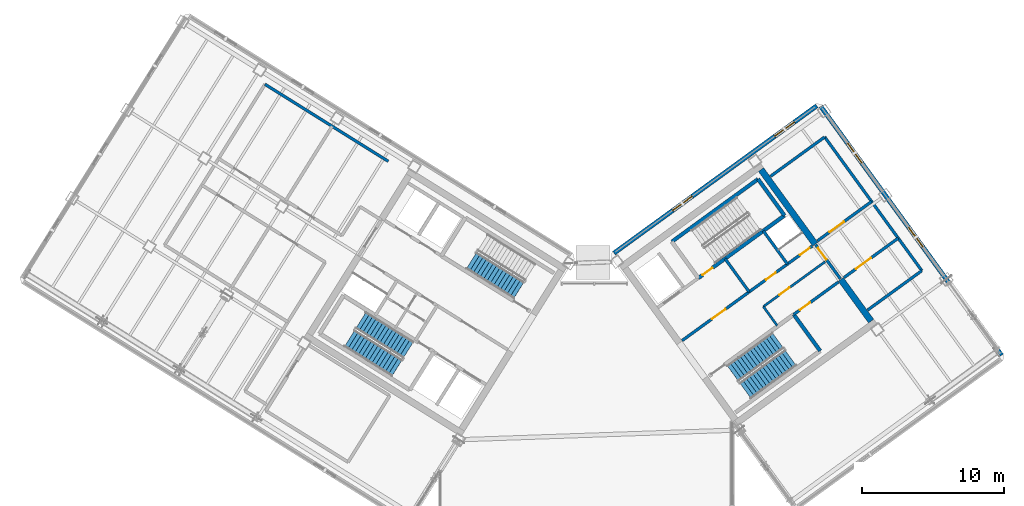
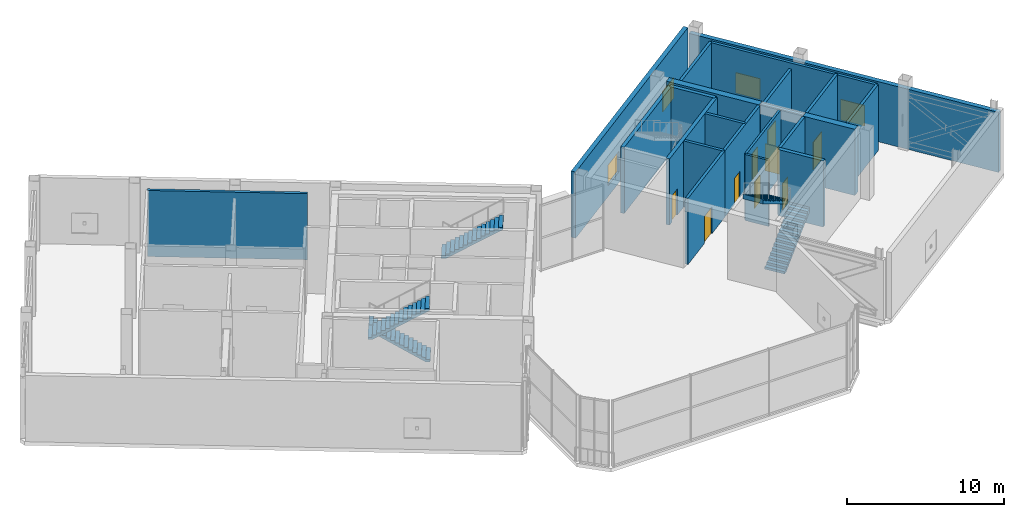
# One storey, part 23 of 32: 22 walls, 9 doors, 5 stair flights, 4 windows, 13 openings, 3 elements without a shape of their own.
"""IFC4 building model written with IfcOpenShell, lengths in metres."""

import ifcopenshell
import ifcopenshell.guid

model = None  # the IFC model being written
_history = None  # IfcOwnerHistory: only IFC2X3 demands one
_inside = {}  # id of a spatial element -> (the spatial element, [elements in it])
_under = {}  # id of a project, library or spatial element -> (it, [spatial elements below it])
_declared = {}  # id of a project -> (the project, [libraries it declares])
_typed = {}  # id of a type object -> (the type object, [elements of that type])
_made_of = {}  # id of a material, layer set ... -> (it, [elements and type objects made of it])


def new_model(schema):
    """Start an empty IFC model of exactly this schema.

    Asked for "IFC4X3", IfcOpenShell would pick the latest addendum, in which some entities
    have other attributes; the version numbers below select the first issue.
    IFC2X3 requires an IfcOwnerHistory on every rooted entity: one is made here for all.
    """
    global model, _history
    if schema == "IFC4X3":
        model = ifcopenshell.file(schema_version=(4, 3, 0, 0))
    else:
        model = ifcopenshell.file(schema=schema)
    _inside.clear()
    _under.clear()
    _declared.clear()
    _typed.clear()
    _made_of.clear()
    _history = None
    if model.schema == "IFC2X3":
        org = make("IfcOrganization", Name="unknown")
        user = make(
            "IfcPersonAndOrganization",
            ThePerson=make("IfcPerson", FamilyName="unknown"),
            TheOrganization=org,
        )
        app = make(
            "IfcApplication",
            ApplicationDeveloper=org,
            Version="unknown",
            ApplicationFullName="unknown",
            ApplicationIdentifier="unknown",
        )
        _history = make(
            "IfcOwnerHistory",
            OwningUser=user,
            OwningApplication=app,
            ChangeAction="ADDED",
            CreationDate=0,
        )
    return model


def make(cls, **values):
    """One entity of the class cls with the attributes given. An attribute that is None is left unset."""
    return model.create_entity(
        cls, **{name: value for name, value in values.items() if value is not None}
    )


def rooted(cls, **values):
    """An entity with a GlobalId (a new one), such as an element, a storey or a relation."""
    return make(cls, GlobalId=ifcopenshell.guid.new(), OwnerHistory=_history, **values)


def si_unit(unit_type, name, prefix=None):
    """IfcSIUnit, for example si_unit("LENGTHUNIT", "METRE", prefix="MILLI")."""
    return make("IfcSIUnit", UnitType=unit_type, Prefix=prefix, Name=name)


def assignment(units):
    """IfcUnitAssignment: the units of a project."""
    return None if units is None else make("IfcUnitAssignment", Units=units)


def point(xyz):
    """IfcCartesianPoint."""
    return None if xyz is None else make("IfcCartesianPoint", Coordinates=xyz)


def direction(xyz):
    """IfcDirection."""
    return None if xyz is None else make("IfcDirection", DirectionRatios=xyz)


def frame(location, z_axis=None, x_axis=None):
    """IfcAxis2Placement3D, a coordinate frame: its origin and axes. An axis left out is left unset."""
    return make(
        "IfcAxis2Placement3D",
        Location=point(location),
        Axis=direction(z_axis),
        RefDirection=direction(x_axis),
    )


def frame_2d(location, x_axis=None):
    """IfcAxis2Placement2D, a coordinate frame in the plane: its origin and x axis."""
    return make(
        "IfcAxis2Placement2D", Location=point(location), RefDirection=direction(x_axis)
    )


def origin():
    """The frame at (0, 0, 0) with its axes left unset."""
    return frame((0.0, 0.0, 0.0))


def place(relative_to, where):
    """IfcLocalPlacement: puts the frame where relative to a parent placement (None: the world)."""
    return make(
        "IfcLocalPlacement", PlacementRelTo=relative_to, RelativePlacement=where
    )


def context(
    kind, dimensions, precision=None, world=None, true_north=None, identifier=None
):
    """IfcGeometricRepresentationContext, for example the 3D "Model" context."""
    return make(
        "IfcGeometricRepresentationContext",
        ContextIdentifier=identifier,
        ContextType=kind,
        CoordinateSpaceDimension=dimensions,
        Precision=precision,
        WorldCoordinateSystem=world,
        TrueNorth=true_north,
    )


def subcontext(parent, identifier, kind, view, scale=None):
    """IfcGeometricRepresentationSubContext, for example "Body" below "Model"."""
    return make(
        "IfcGeometricRepresentationSubContext",
        ContextIdentifier=identifier,
        ContextType=kind,
        ParentContext=parent,
        TargetScale=scale,
        TargetView=view,
    )


def project(units=None, contexts=None):
    """IfcProject with its units and contexts."""
    return rooted(
        "IfcProject",
        Name="project",
        RepresentationContexts=contexts,
        UnitsInContext=assignment(units),
    )


def spatial(cls, under=None, at=None, **own):
    """A site, building, storey or space (cls), placed at a placement, below another one or the project."""
    s = rooted(cls, ObjectPlacement=at, **own)
    if under is not None:
        _under.setdefault(under.id(), (under, []))[1].append(s)
    return s


def polyline(points):
    """IfcPolyline through the points."""
    return make("IfcPolyline", Points=[point(p) for p in points])


def profile(cls, at=None, kind="AREA", **sizes):
    """A parametric profile (cls). Its sizes go by their IFC names, for example OverallWidth=200.0."""
    return make(cls, ProfileType=kind, Position=at, **sizes)


def rectangle(**sizes):
    """IfcRectangleProfileDef."""
    return profile("IfcRectangleProfileDef", **sizes)


def outline(outer, holes=None, kind="AREA"):
    """IfcArbitraryClosedProfileDef: a profile drawn as a closed curve; with holes, ...WithVoids."""
    if holes is None:
        return make("IfcArbitraryClosedProfileDef", ProfileType=kind, OuterCurve=outer)
    return make(
        "IfcArbitraryProfileDefWithVoids",
        ProfileType=kind,
        OuterCurve=outer,
        InnerCurves=holes,
    )


def extrude(swept, where, along, depth):
    """IfcExtrudedAreaSolid: the profile swept, set in the frame where, extruded along a direction by depth."""
    return make(
        "IfcExtrudedAreaSolid",
        SweptArea=swept,
        Position=where,
        ExtrudedDirection=direction(along),
        Depth=depth,
    )


def shape(context_of_items, identifier, shape_type, items):
    """IfcShapeRepresentation: the items that make up one representation, for example the "Body"."""
    return make(
        "IfcShapeRepresentation",
        ContextOfItems=context_of_items,
        RepresentationIdentifier=identifier,
        RepresentationType=shape_type,
        Items=items,
    )


def source(mapping_origin, context_of_items, identifier, shape_type, items):
    """IfcRepresentationMap: a shape defined once, which mapped items show again and again."""
    return make(
        "IfcRepresentationMap",
        MappingOrigin=mapping_origin,
        MappedRepresentation=shape(context_of_items, identifier, shape_type, items),
    )


def transform(
    local_origin,
    x_axis=None,
    y_axis=None,
    z_axis=None,
    scale=None,
    scale2=None,
    scale3=None,
    uniform=True,
):
    """IfcCartesianTransformationOperator3D, or its non-uniform kind. x_axis, y_axis, z_axis: its Axis1, 2, 3."""
    if uniform:
        return make(
            "IfcCartesianTransformationOperator3D",
            Axis1=direction(x_axis),
            Axis2=direction(y_axis),
            LocalOrigin=point(local_origin),
            Scale=scale,
            Axis3=direction(z_axis),
        )
    return make(
        "IfcCartesianTransformationOperator3DnonUniform",
        Axis1=direction(x_axis),
        Axis2=direction(y_axis),
        LocalOrigin=point(local_origin),
        Scale=scale,
        Axis3=direction(z_axis),
        Scale2=scale2,
        Scale3=scale3,
    )


def mapped(mapping_source, mapping_target):
    """IfcMappedItem: shows the shape of a source again, moved by a transform."""
    return make(
        "IfcMappedItem", MappingSource=mapping_source, MappingTarget=mapping_target
    )


def material(Name=None, Category=None):
    """IfcMaterial."""
    return make("IfcMaterial", Name=Name, Category=Category)


def layer(
    of_material, thickness, ventilated=None, Name=None, Category=None, Priority=None
):
    """IfcMaterialLayer: one layer of a wall or slab, of a material (None: an air gap)."""
    return make(
        "IfcMaterialLayer",
        Material=of_material,
        LayerThickness=thickness,
        IsVentilated=ventilated,
        Name=Name,
        Category=Category,
        Priority=Priority,
    )


def layer_set(layers, Name=None):
    """IfcMaterialLayerSet."""
    return make("IfcMaterialLayerSet", MaterialLayers=layers, LayerSetName=Name)


def made_of(thing, what):
    """Note that an element or type object is made of a material, layer set ...; save() writes the relation."""
    if what is not None:
        _made_of.setdefault(what.id(), (what, []))[1].append(thing)
    return thing


def type_object(cls, material=None, **own):
    """A type object (cls), such as IfcWallType, which elements share."""
    return made_of(rooted(cls, **own), material)


def element(
    cls,
    number,
    at=None,
    inside=None,
    cuts=None,
    type_object=None,
    material=None,
    context=None,
    identifier="Body",
    shape_type=None,
    held_by="IfcProductDefinitionShape",
    body=None,
    shapes=None,
    **own,
):
    """One element of the class cls, such as IfcWall. Its Tag is "e" and its number.

    at: its placement. inside: the storey or other place that contains it. cuts: it is an
    opening in that element (IfcRelVoidsElement). A single representation is given by context,
    identifier, shape_type and body (its items); several are given by shapes. held_by: the class
    of the entity that holds the representations. save() writes the other relations.
    """
    e = rooted(cls, Tag="e%d" % number, ObjectPlacement=at, **own)
    if body is not None:
        shapes = [shape(context, identifier, shape_type, body)]
    if shapes is not None:
        e.Representation = make(held_by, Representations=shapes)
    if inside is not None:
        _inside.setdefault(inside.id(), (inside, []))[1].append(e)
    if cuts is not None:
        rooted(
            "IfcRelVoidsElement", RelatingBuildingElement=cuts, RelatedOpeningElement=e
        )
    if type_object is not None:
        _typed.setdefault(type_object.id(), (type_object, []))[1].append(e)
    return made_of(e, material)


def fill(opening, filler):
    """IfcRelFillsElement: the door or window that sits in an opening."""
    return rooted(
        "IfcRelFillsElement",
        RelatingOpeningElement=opening,
        RelatedBuildingElement=filler,
    )


def aggregate(whole, parts):
    """IfcRelAggregates: a whole, such as a stair, and the parts it consists of."""
    return rooted("IfcRelAggregates", RelatingObject=whole, RelatedObjects=parts)


def save(model, path):
    """Write the relations noted so far, then the file.

    IfcRelAggregates (storeys below a building ...), IfcRelContainedInSpatialStructure (elements
    in a storey), IfcRelDefinesByType, IfcRelAssociatesMaterial and IfcRelDeclares: one each for
    every whole, place, type object, material and project.
    """
    for whole, parts in _under.values():
        aggregate(whole, parts)
    for where, things in _inside.values():
        rooted(
            "IfcRelContainedInSpatialStructure",
            RelatedElements=things,
            RelatingStructure=where,
        )
    for kind, things in _typed.values():
        rooted("IfcRelDefinesByType", RelatedObjects=things, RelatingType=kind)
    for what, things in _made_of.values():
        rooted("IfcRelAssociatesMaterial", RelatedObjects=things, RelatingMaterial=what)
    for by, libraries in _declared.values():
        rooted("IfcRelDeclares", RelatingContext=by, RelatedDefinitions=libraries)
    model.write(path)


model = new_model("IFC4")

# Units and contexts
model_context = context("Model", 3, precision=1e-05, world=origin(), true_north=direction((0.0, 1.0)))
body_context = subcontext(model_context, "Body", "Model", "MODEL_VIEW")
ifc_project = project(units=[si_unit("LENGTHUNIT", "METRE"), si_unit("AREAUNIT", "SQUARE_METRE"), si_unit("VOLUMEUNIT", "CUBIC_METRE"), si_unit("PLANEANGLEUNIT", "RADIAN"), si_unit("MASSUNIT", "GRAM", prefix="KILO")], contexts=[model_context])

# Site, building, storey
site_placement = place(None, origin())
site = spatial("IfcSite", under=ifc_project, at=site_placement, CompositionType="ELEMENT")
building_placement = place(site_placement, origin())
building = spatial("IfcBuilding", under=site, at=building_placement, Name="Tlacorven Tower", CompositionType="ELEMENT")
storey_placement = place(building_placement, frame((0.0, 0.0, 245.699951171875)))
storey = spatial("IfcBuildingStorey", under=building, at=storey_placement, Name="L62", CompositionType="ELEMENT", Elevation=245.699951171875)

# Walls
ifc_material_1 = material(Name="Concrete C50/60", Category="concrete")
ifc_layer_1 = layer(ifc_material_1, 0.449951171875)
ifc_layer_set_1 = layer_set([ifc_layer_1], Name="Concrete C50/60")
wall_type_1 = type_object("IfcWallType", Name="WL-COR-450", PredefinedType="SHEAR", material=ifc_layer_set_1)
wall_1_placement = place(storey_placement, frame((61.987548828125, 20.413330078125, 0.0), z_axis=(0.0, 0.0, 1.0), x_axis=(-0.587819244441, 0.808992296542, 0.0)))
element("IfcWall", 1, at=wall_1_placement, inside=storey, type_object=wall_type_1, Name="L62 E core end wall E2.1", PredefinedType="SHEAR", context=body_context, shape_type="SweptSolid", body=[
    extrude(rectangle(XDim=3.625, YDim=0.449951171875, at=frame_2d((1.8125, 0.0))), origin(), (0.0, 0.0, 1.0), 5.150146484375),
])
wall_2_placement = place(storey_placement, frame((58.06396484375, 25.8134765625, 0.0), z_axis=(0.0, 0.0, 1.0), x_axis=(-0.587774812919, 0.809024578921, 0.0)))
element("IfcWall", 2, at=wall_2_placement, inside=storey, type_object=wall_type_1, Name="L62 E core end wall E2.2", PredefinedType="SHEAR", context=body_context, shape_type="SweptSolid", body=[
    extrude(rectangle(XDim=6.47509765625, YDim=0.449951171875, at=frame_2d((3.237548828125, 0.0))), origin(), (0.0, 0.0, 1.0), 5.150146484375),
])

# Wall, opening, door
ifc_material_2 = material(Name="Gypsum plasterboard acoustic partition", Category="gypsum")
ifc_layer_2 = layer(ifc_material_2, 0.159912109375)
ifc_layer_set_2 = layer_set([ifc_layer_2], Name="Gypsum plasterboard acoustic partition")
wall_type_2 = type_object("IfcWallType", Name="WL-DEM-160", PredefinedType="PARTITIONING", material=ifc_layer_set_2)
wall_3_placement = place(storey_placement, frame((54.421142578125, 21.436279296875, 0.0), z_axis=(0.0, 0.0, 1.0), x_axis=(0.809013710463, 0.587789772183, 0.0)))
wall_3 = element("IfcWall", 3, at=wall_3_placement, inside=storey, type_object=wall_type_2, Name="L62 partition 31", PredefinedType="PARTITIONING", context=body_context, shape_type="SweptSolid", body=[
    extrude(rectangle(XDim=5.360107421875, YDim=0.159912109375, at=frame_2d((2.68017578125, 0.0))), origin(), (0.0, 0.0, 1.0), 5.14013671875),
])
opening_1_placement = place(wall_3_placement, frame((1.39990234375, 0.0, 0.0)))
opening_1 = element("IfcOpeningElement", 4, at=opening_1_placement, cuts=wall_3, Name="Opening D19", PredefinedType="OPENING", context=body_context, shape_type="SweptSolid", body=[
    extrude(rectangle(XDim=0.860107421875, YDim=2.050048828125, at=frame_2d((0.43017578125, 1.02490234375))), frame((0.0, 0.08984375, 0.0), z_axis=(0.0, -1.0, 0.0), x_axis=(1.0, 0.0, 0.0)), (0.0, 0.0, 1.0), 0.179931640625),
])
ifc_material_3 = material(Name="Fire-rated steel door assembly", Category="steel")
door_type_1 = type_object("IfcDoorType", Name="DR-RSR-FD60-0860", OperationType="NOTDEFINED", PredefinedType="DOOR", material=ifc_material_3)
shared_shape_1 = source(origin(), body_context, "Body", "SweptSolid", [
    extrude(rectangle(XDim=0.860107421875, YDim=2.050048828125, at=frame_2d((0.43017578125, 1.02490234375))), frame((0.0, 0.02490234375, 0.0), z_axis=(0.0, -1.0, 0.0), x_axis=(1.0, 0.0, 0.0)), (0.0, 0.0, 1.0), 0.050048828125),
])
door_1_placement = place(opening_1_placement, origin())
door_1 = element("IfcDoor", 5, at=door_1_placement, inside=storey, type_object=door_type_1, Name="L62 Freed Core Store Door", OperationType="SINGLE_SWING_LEFT", OverallHeight=2.050048828125, OverallWidth=0.860107421875, PredefinedType="DOOR", context=body_context, shape_type="MappedRepresentation", body=[
    mapped(shared_shape_1, transform((0.0, 0.0, 0.0), scale=1.0)),
])
fill(opening_1, door_1)

# Wall
wall_4_placement = place(storey_placement, frame((55.390869140625, 20.1015625, 0.0), z_axis=(0.0, 0.0, 1.0), x_axis=(-0.58778447739, 0.809017557374, 0.0)))
element("IfcWall", 6, at=wall_4_placement, inside=storey, type_object=wall_type_2, Name="L62 partition 32", PredefinedType="PARTITIONING", context=body_context, shape_type="SweptSolid", body=[
    extrude(rectangle(XDim=1.64990234375, YDim=0.159912109375, at=frame_2d((0.824951171875, 0.0))), origin(), (0.0, 0.0, 1.0), 5.14013671875),
])

# Wall, openings, windows
ifc_material_4 = material(Name="Precast concrete C45/55", Category="concrete")
ifc_layer_3 = layer(ifc_material_4, 0.320068359375)
ifc_layer_set_3 = layer_set([ifc_layer_3], Name="Precast concrete C45/55")
wall_type_3 = type_object("IfcWallType", Name="WL-EXT-320", PredefinedType="STANDARD", material=ifc_layer_set_3)
wall_5_placement = place(storey_placement, frame((43.93798828125, 25.191650390625, 0.0), z_axis=(0.0, 0.0, 1.0), x_axis=(0.809016324578, 0.587786174187, 0.0)))
wall_5 = element("IfcWall", 7, at=wall_5_placement, inside=storey, type_object=wall_type_3, Name="L62 Masonry-Frame Recessed Facade Wall 4", PredefinedType="STANDARD", context=body_context, shape_type="SweptSolid", body=[
    extrude(rectangle(XDim=17.58740234375, YDim=0.320068359375, at=frame_2d((8.793701171875, 0.0))), origin(), (0.0, 0.0, 1.0), 5.150146484375),
])
opening_2_placement = place(wall_5_placement, frame((5.07958984375, 0.0, 0.85009765625)))
opening_2 = element("IfcOpeningElement", 8, at=opening_2_placement, cuts=wall_5, Name="Opening WN19", PredefinedType="OPENING", context=body_context, shape_type="SweptSolid", body=[
    extrude(rectangle(XDim=1.699951171875, YDim=1.60009765625, at=frame_2d((0.85009765625, 0.800048828125))), frame((0.0, 0.169921875, 0.0), z_axis=(0.0, -1.0, 0.0), x_axis=(1.0, 0.0, 0.0)), (0.0, 0.0, 1.0), 0.340087890625),
])
opening_3_placement = place(wall_5_placement, frame((13.943603515625, 0.0, 0.85009765625)))
opening_3 = element("IfcOpeningElement", 9, at=opening_3_placement, cuts=wall_5, Name="Opening WN19", PredefinedType="OPENING", context=body_context, shape_type="SweptSolid", body=[
    extrude(rectangle(XDim=1.699951171875, YDim=1.60009765625, at=frame_2d((0.85009765625, 0.800048828125))), frame((0.0, 0.169921875, 0.0), z_axis=(0.0, -1.0, 0.0), x_axis=(1.0, 0.0, 0.0)), (0.0, 0.0, 1.0), 0.340087890625),
])
ifc_material_5 = material(Name="Dark solar low-E double glazing in anodised aluminium frame", Category="aluminium")
window_type = type_object("IfcWindowType", Name="WN-CRN-1700X1800", PartitioningType="SINGLE_PANEL", PredefinedType="WINDOW", material=ifc_material_5)
shared_shape_2 = source(origin(), body_context, "Body", "SweptSolid", [
    extrude(rectangle(XDim=1.699951171875, YDim=1.60009765625, at=frame_2d((0.85009765625, 0.800048828125))), frame((0.0, 0.030029296875, 0.0), z_axis=(0.0, -1.0, 0.0), x_axis=(1.0, 0.0, 0.0)), (0.0, 0.0, 1.0), 0.06005859375),
])
window_1_placement = place(opening_2_placement, origin())
window_1 = element("IfcWindow", 10, at=window_1_placement, inside=storey, type_object=window_type, Name="L62 Acoustic Plant Facade Window 4.1", OverallHeight=1.60009765625, OverallWidth=1.699951171875, PartitioningType="SINGLE_PANEL", PredefinedType="WINDOW", context=body_context, shape_type="MappedRepresentation", body=[
    mapped(shared_shape_2, transform((0.0, 0.0, 0.0), scale=1.0)),
])
fill(opening_2, window_1)
window_2_placement = place(opening_3_placement, origin())
window_2 = element("IfcWindow", 11, at=window_2_placement, inside=storey, type_object=window_type, Name="L62 Acoustic Plant Facade Window 4.2", OverallHeight=1.60009765625, OverallWidth=1.699951171875, PartitioningType="SINGLE_PANEL", PredefinedType="WINDOW", context=body_context, shape_type="MappedRepresentation", body=[
    mapped(shared_shape_2, transform((0.0, 0.0, 0.0), scale=1.0)),
])
fill(opening_3, window_2)

wall_6_placement = place(storey_placement, frame((58.45458984375, 35.483642578125, 0.0), z_axis=(0.0, 0.0, 1.0), x_axis=(0.587783625747, -0.809018176127, 0.0)))
wall_6 = element("IfcWall", 12, at=wall_6_placement, inside=storey, type_object=wall_type_3, Name="L62 Masonry-Frame Recessed Facade Wall 5", PredefinedType="STANDARD", context=body_context, shape_type="SweptSolid", body=[
    extrude(rectangle(XDim=21.58740234375, YDim=0.320068359375, at=frame_2d((10.793701171875, 0.0))), origin(), (0.0, 0.0, 1.0), 4.675048828125),
])
opening_4_placement = place(wall_6_placement, frame((3.193603515625, 0.0, 0.85009765625)))
opening_4 = element("IfcOpeningElement", 13, at=opening_4_placement, cuts=wall_6, Name="Opening WN19", PredefinedType="OPENING", context=body_context, shape_type="SweptSolid", body=[
    extrude(rectangle(XDim=1.699951171875, YDim=1.60009765625, at=frame_2d((0.85009765625, 0.800048828125))), frame((0.0, 0.169921875, 0.0), z_axis=(0.0, -1.0, 0.0), x_axis=(1.0, 0.0, 0.0)), (0.0, 0.0, 1.0), 0.340087890625),
])
opening_5_placement = place(wall_6_placement, frame((10.49365234375, 0.0, 0.85009765625)))
opening_5 = element("IfcOpeningElement", 14, at=opening_5_placement, cuts=wall_6, Name="Opening WN19", PredefinedType="OPENING", context=body_context, shape_type="SweptSolid", body=[
    extrude(rectangle(XDim=1.699951171875, YDim=1.60009765625, at=frame_2d((0.85009765625, 0.800048828125))), frame((0.0, 0.169921875, 0.0), z_axis=(0.0, -1.0, 0.0), x_axis=(1.0, 0.0, 0.0)), (0.0, 0.0, 1.0), 0.340087890625),
])
window_3_placement = place(opening_4_placement, origin())
window_3 = element("IfcWindow", 15, at=window_3_placement, inside=storey, type_object=window_type, Name="L62 Acoustic Plant Facade Window 5.1", OverallHeight=1.60009765625, OverallWidth=1.699951171875, PartitioningType="SINGLE_PANEL", PredefinedType="WINDOW", context=body_context, shape_type="MappedRepresentation", body=[
    mapped(shared_shape_2, transform((0.0, 0.0, 0.0), scale=1.0)),
])
fill(opening_4, window_3)
window_4_placement = place(opening_5_placement, origin())
window_4 = element("IfcWindow", 16, at=window_4_placement, inside=storey, type_object=window_type, Name="L62 Acoustic Plant Facade Window 5.2", OverallHeight=1.60009765625, OverallWidth=1.699951171875, PartitioningType="SINGLE_PANEL", PredefinedType="WINDOW", context=body_context, shape_type="MappedRepresentation", body=[
    mapped(shared_shape_2, transform((0.0, 0.0, 0.0), scale=1.0)),
])
fill(opening_5, window_4)

# Wall, opening, door
ifc_material_6 = material(Name="Concrete C40/50", Category="concrete")
ifc_layer_4 = layer(ifc_material_6, 0.199951171875)
ifc_layer_set_4 = layer_set([ifc_layer_4], Name="Concrete C40/50")
wall_type_4 = type_object("IfcWallType", Name="WL-SHF-200", PredefinedType="STANDARD", material=ifc_layer_set_4)
wall_7_placement = place(storey_placement, frame((48.7177734375, 19.0478515625, 0.0), z_axis=(0.0, 0.0, 1.0), x_axis=(0.809017261719, 0.587784884325, 0.0)))
wall_7 = element("IfcWall", 17, at=wall_7_placement, inside=storey, type_object=wall_type_4, Name="L62 Core E Smoke Lobby Wall", PredefinedType="STANDARD", context=body_context, shape_type="SweptSolid", body=[
    extrude(rectangle(XDim=5.81787109375, YDim=0.199951171875, at=frame_2d((2.908935546875, 0.0))), origin(), (0.0, 0.0, 1.0), 5.14013671875),
])
opening_6_placement = place(wall_7_placement, frame((2.597900390625, 0.0, 0.0)))
opening_6 = element("IfcOpeningElement", 18, at=opening_6_placement, cuts=wall_7, Name="Opening D09", PredefinedType="OPENING", context=body_context, shape_type="SweptSolid", body=[
    extrude(rectangle(XDim=1.14990234375, YDim=2.10009765625, at=frame_2d((0.574951171875, 1.050048828125))), frame((0.0, 0.10986328125, 0.0), z_axis=(0.0, -1.0, 0.0), x_axis=(1.0, 0.0, 0.0)), (0.0, 0.0, 1.0), 0.219970703125),
])
door_type_2 = type_object("IfcDoorType", Name="DR-FFL-FD60-1150", OperationType="NOTDEFINED", PredefinedType="DOOR", material=ifc_material_3)
shared_shape_3 = source(origin(), body_context, "Body", "SweptSolid", [
    extrude(rectangle(XDim=1.14990234375, YDim=2.10009765625, at=frame_2d((0.574951171875, 1.050048828125))), frame((0.0, 0.02490234375, 0.0), z_axis=(0.0, -1.0, 0.0), x_axis=(1.0, 0.0, 0.0)), (0.0, 0.0, 1.0), 0.050048828125),
])
door_2_placement = place(opening_6_placement, origin())
door_2 = element("IfcDoor", 19, at=door_2_placement, inside=storey, type_object=door_type_2, Name="L62 Firefighting Lobby E Fire Door", OperationType="SINGLE_SWING_LEFT", OverallHeight=2.10009765625, OverallWidth=1.14990234375, PredefinedType="DOOR", context=body_context, shape_type="MappedRepresentation", body=[
    mapped(shared_shape_3, transform((0.0, 0.0, 0.0), scale=1.0)),
])
fill(opening_6, door_2)

wall_8_placement = place(storey_placement, frame((56.552978515625, 20.884033203125, 0.0), z_axis=(0.0, 0.0, 1.0), x_axis=(0.809041669066, 0.587751288995, 0.0)))
wall_8 = element("IfcWall", 20, at=wall_8_placement, inside=storey, type_object=wall_type_4, Name="L62 Core E South Lift Shaft Wall", PredefinedType="STANDARD", context=body_context, shape_type="SweptSolid", body=[
    extrude(rectangle(XDim=3.867919921875, YDim=0.199951171875, at=frame_2d((1.93408203125, 0.0))), origin(), (0.0, 0.0, 1.0), 5.14013671875),
])
opening_7_placement = place(wall_8_placement, frame((0.550048828125, 0.0, 0.0)))
opening_7 = element("IfcOpeningElement", 21, at=opening_7_placement, cuts=wall_8, Name="Opening D19", PredefinedType="OPENING", context=body_context, shape_type="SweptSolid", body=[
    extrude(rectangle(XDim=0.860107421875, YDim=2.050048828125, at=frame_2d((0.43017578125, 1.02490234375))), frame((0.0, 0.10986328125, 0.0), z_axis=(0.0, -1.0, 0.0), x_axis=(1.0, 0.0, 0.0)), (0.0, 0.0, 1.0), 0.219970703125),
])
door_3_placement = place(opening_7_placement, origin())
door_3 = element("IfcDoor", 22, at=door_3_placement, inside=storey, type_object=door_type_1, Name="L62 East Telecoms Riser Access Door", OperationType="SINGLE_SWING_RIGHT", OverallHeight=2.050048828125, OverallWidth=0.860107421875, PredefinedType="DOOR", context=body_context, shape_type="MappedRepresentation", body=[
    mapped(shared_shape_1, transform((0.0, 0.0, 0.0), scale=1.0)),
])
fill(opening_7, door_3)

# Walls
wall_9_placement = place(storey_placement, frame((53.424560546875, 22.467529296875, 0.0), z_axis=(0.0, 0.0, 1.0), x_axis=(-0.5877230039, 0.809062216821, 0.0)))
element("IfcWall", 23, at=wall_9_placement, inside=storey, type_object=wall_type_4, Name="L62 partition 34", PredefinedType="STANDARD", context=body_context, shape_type="SweptSolid", body=[
    extrude(rectangle(XDim=2.8798828125, YDim=0.199951171875, at=frame_2d((1.43994140625, 0.0))), origin(), (0.0, 0.0, 1.0), 5.14013671875),
])
wall_10_placement = place(storey_placement, frame((56.110595703125, 24.4189453125, 0.0), z_axis=(0.0, 0.0, 1.0), x_axis=(-0.58777848983, 0.809021907548, 0.0)))
element("IfcWall", 24, at=wall_10_placement, inside=storey, type_object=wall_type_4, Name="L62 partition 35", PredefinedType="STANDARD", context=body_context, shape_type="SweptSolid", body=[
    extrude(rectangle(XDim=2.880126953125, YDim=0.199951171875, at=frame_2d((1.43994140625, 0.0))), origin(), (0.0, 0.0, 1.0), 5.14013671875),
])

# Wall, openings, doors
wall_11_placement = place(storey_placement, frame((53.424560546875, 22.467529296875, 0.0), z_axis=(0.0, 0.0, 1.0), x_axis=(0.809015945709, 0.587786695655, 0.0)))
wall_11 = element("IfcWall", 25, at=wall_11_placement, inside=storey, type_object=wall_type_4, Name="L62 Core E North Service Wall", PredefinedType="STANDARD", context=body_context, shape_type="SweptSolid", body=[
    extrude(rectangle(XDim=5.46826171875, YDim=0.199951171875, at=frame_2d((2.734130859375, 0.0))), origin(), (0.0, 0.0, 1.0), 5.14013671875),
])
opening_8_placement = place(wall_11_placement, frame((4.39990234375, 0.0, 0.0)))
opening_8 = element("IfcOpeningElement", 26, at=opening_8_placement, cuts=wall_11, Name="Opening D19", PredefinedType="OPENING", context=body_context, shape_type="SweptSolid", body=[
    extrude(rectangle(XDim=0.860107421875, YDim=2.050048828125, at=frame_2d((0.43017578125, 1.02490234375))), frame((0.0, 0.10986328125, 0.0), z_axis=(0.0, -1.0, 0.0), x_axis=(1.0, 0.0, 0.0)), (0.0, 0.0, 1.0), 0.219970703125),
])
opening_9_placement = place(wall_11_placement, frame((1.449951171875, 0.0, 0.0)))
opening_9 = element("IfcOpeningElement", 27, at=opening_9_placement, cuts=wall_11, Name="Opening D19", PredefinedType="OPENING", context=body_context, shape_type="SweptSolid", body=[
    extrude(rectangle(XDim=0.860107421875, YDim=2.050048828125, at=frame_2d((0.43017578125, 1.02490234375))), frame((0.0, 0.10986328125, 0.0), z_axis=(0.0, -1.0, 0.0), x_axis=(1.0, 0.0, 0.0)), (0.0, 0.0, 1.0), 0.219970703125),
])
door_4_placement = place(opening_8_placement, frame((0.860107421875, 0.0, 0.0), z_axis=(0.0, 0.0, 1.0), x_axis=(-1.0, 0.0, 0.0)))
door_4 = element("IfcDoor", 28, at=door_4_placement, inside=storey, type_object=door_type_1, Name="L62 Electrical Riser Access Door E", OperationType="SINGLE_SWING_LEFT", OverallHeight=2.050048828125, OverallWidth=0.860107421875, PredefinedType="DOOR", context=body_context, shape_type="MappedRepresentation", body=[
    mapped(shared_shape_1, transform((0.0, 0.0, 0.0), scale=1.0)),
])
fill(opening_8, door_4)
door_5_placement = place(opening_9_placement, frame((0.860107421875, 0.0, 0.0), z_axis=(0.0, 0.0, 1.0), x_axis=(-1.0, 0.0, 0.0)))
door_5 = element("IfcDoor", 29, at=door_5_placement, inside=storey, type_object=door_type_1, Name="L62 Housekeeping Linen Access Door E", OperationType="SINGLE_SWING_RIGHT", OverallHeight=2.050048828125, OverallWidth=0.860107421875, PredefinedType="DOOR", context=body_context, shape_type="MappedRepresentation", body=[
    mapped(shared_shape_1, transform((0.0, 0.0, 0.0), scale=1.0)),
])
fill(opening_9, door_5)

# Wall
wall_12_placement = place(storey_placement, frame((28.0908203125, 31.6328125, 0.0), z_axis=(0.0, 0.0, 1.0), x_axis=(-0.848049399204, 0.529917178916, 0.0)))
element("IfcWall", 30, at=wall_12_placement, inside=storey, type_object=wall_type_4, Name="L62 partition 52", PredefinedType="STANDARD", context=body_context, shape_type="SweptSolid", body=[
    extrude(rectangle(XDim=10.19970703125, YDim=0.199951171875, at=frame_2d((5.099853515625, 0.0))), origin(), (0.0, 0.0, 1.0), 5.14013671875),
])

# Wall, opening, door
wall_13_placement = place(storey_placement, frame((59.827392578125, 23.386474609375, 0.0), z_axis=(0.0, 0.0, 1.0), x_axis=(-0.587803840107, 0.809003489211, 0.0)))
wall_13 = element("IfcWall", 31, at=wall_13_placement, inside=storey, type_object=wall_type_4, Name="L62 partition 55", PredefinedType="STANDARD", context=body_context, shape_type="SweptSolid", body=[
    extrude(rectangle(XDim=2.960205078125, YDim=0.199951171875, at=frame_2d((1.47998046875, 0.0))), origin(), (0.0, 0.0, 1.0), 5.14013671875),
])
opening_10_placement = place(wall_13_placement, frame((1.679931640625, 0.0, 0.0)))
opening_10 = element("IfcOpeningElement", 32, at=opening_10_placement, cuts=wall_13, Name="Opening D11", PredefinedType="OPENING", context=body_context, shape_type="SweptSolid", body=[
    extrude(rectangle(XDim=1.0, YDim=2.10009765625, at=frame_2d((0.5, 1.050048828125))), frame((0.0, 0.10986328125, 0.0), z_axis=(0.0, -1.0, 0.0), x_axis=(1.0, 0.0, 0.0)), (0.0, 0.0, 1.0), 0.219970703125),
])
door_type_3 = type_object("IfcDoorType", Name="DR-FLT-FD60-1000", OperationType="NOTDEFINED", PredefinedType="DOOR", material=ifc_material_3)
shared_shape_4 = source(origin(), body_context, "Body", "SweptSolid", [
    extrude(rectangle(XDim=1.0, YDim=2.10009765625, at=frame_2d((0.5, 1.050048828125))), frame((0.0, 0.02490234375, 0.0), z_axis=(0.0, -1.0, 0.0), x_axis=(1.0, 0.0, 0.0)), (0.0, 0.0, 1.0), 0.050048828125),
])
door_6_placement = place(opening_10_placement, origin())
door_6 = element("IfcDoor", 33, at=door_6_placement, inside=storey, type_object=door_type_3, Name="L62 door 027", OperationType="SINGLE_SWING_RIGHT", OverallHeight=2.10009765625, OverallWidth=1.0, PredefinedType="DOOR", context=body_context, shape_type="MappedRepresentation", body=[
    mapped(shared_shape_4, transform((0.0, 0.0, 0.0), scale=1.0)),
])
fill(opening_10, door_6)

# Walls
for number, where, z_axis, x_axis, name in (
    (34, (61.73583984375, 21.1884765625, 0.0), (0.0, 0.0, 1.0), (0.809011815407, 0.587792380465, 0.0), "L62 partition 56"),
    (35, (54.91748046875, 30.572998046875, 0.0), (0.0, 0.0, 1.0), (0.809011815407, 0.587792380465, 0.0), "L62 partition 57"),
):
    element("IfcWall", number, at=place(storey_placement, frame(where, z_axis=z_axis, x_axis=x_axis)), inside=storey, type_object=wall_type_4, Name=name, PredefinedType="STANDARD", context=body_context, shape_type="SweptSolid", body=[
        extrude(rectangle(XDim=4.7080078125, YDim=0.199951171875, at=frame_2d((2.35400390625, 0.0))), origin(), (0.0, 0.0, 1.0), 5.14013671875),
    ])
wall_14_placement = place(storey_placement, frame((65.544677734375, 23.955810546875, 0.0), z_axis=(0.0, 0.0, 1.0), x_axis=(-0.587791199948, 0.809012673117, 0.0)))
element("IfcWall", 36, at=wall_14_placement, inside=storey, type_object=wall_type_4, Name="L62 partition 58", PredefinedType="STANDARD", context=body_context, shape_type="SweptSolid", body=[
    extrude(rectangle(XDim=11.599853515625, YDim=0.199951171875, at=frame_2d((5.7998046875, 0.0))), origin(), (0.0, 0.0, 1.0), 5.14013671875),
])

# Wall, opening, door
wall_15_placement = place(storey_placement, frame((58.208984375, 26.04248046875, 0.0), z_axis=(0.0, 0.0, 1.0), x_axis=(0.809029730662, 0.587767721898, 0.0)))
wall_15 = element("IfcWall", 37, at=wall_15_placement, inside=storey, type_object=wall_type_4, Name="L62 partition 59", PredefinedType="STANDARD", context=body_context, shape_type="SweptSolid", body=[
    extrude(rectangle(XDim=4.708251953125, YDim=0.199951171875, at=frame_2d((2.35400390625, 0.0))), origin(), (0.0, 0.0, 1.0), 4.675048828125),
])
opening_11_placement = place(wall_15_placement, frame((1.048095703125, 0.0, 0.0)))
opening_11 = element("IfcOpeningElement", 38, at=opening_11_placement, cuts=wall_15, Name="Opening D08", PredefinedType="OPENING", context=body_context, shape_type="SweptSolid", body=[
    extrude(rectangle(XDim=1.25, YDim=2.14990234375, at=frame_2d((0.625, 1.074951171875))), frame((0.0, 0.10986328125, 0.0), z_axis=(0.0, -1.0, 0.0), x_axis=(1.0, 0.0, 0.0)), (0.0, 0.0, 1.0), 0.219970703125),
])
door_type_4 = type_object("IfcDoorType", Name="DR-STR-FD90-1250", OperationType="NOTDEFINED", PredefinedType="DOOR", material=ifc_material_3)
shared_shape_5 = source(origin(), body_context, "Body", "SweptSolid", [
    extrude(rectangle(XDim=1.25, YDim=2.14990234375, at=frame_2d((0.625, 1.074951171875))), frame((0.0, 0.02490234375, 0.0), z_axis=(0.0, -1.0, 0.0), x_axis=(1.0, 0.0, 0.0)), (0.0, 0.0, 1.0), 0.050048828125),
])
door_7_placement = place(opening_11_placement, origin())
door_7 = element("IfcDoor", 39, at=door_7_placement, inside=storey, type_object=door_type_4, Name="L62 door 028", OperationType="SINGLE_SWING_LEFT", OverallHeight=2.14990234375, OverallWidth=1.25, PredefinedType="DOOR", context=body_context, shape_type="MappedRepresentation", body=[
    mapped(shared_shape_5, transform((0.0, 0.0, 0.0), scale=1.0)),
])
fill(opening_11, door_7)

wall_16_placement = place(storey_placement, frame((60.078369140625, 23.469970703125, 0.0), z_axis=(0.0, 0.0, 1.0), x_axis=(0.809011815407, 0.587792380465, 0.0)))
wall_16 = element("IfcWall", 40, at=wall_16_placement, inside=storey, type_object=wall_type_4, Name="L62 partition 60", PredefinedType="STANDARD", context=body_context, shape_type="SweptSolid", body=[
    extrude(rectangle(XDim=4.7080078125, YDim=0.199951171875, at=frame_2d((2.35400390625, 0.0))), origin(), (0.0, 0.0, 1.0), 5.14013671875),
])
opening_12_placement = place(wall_16_placement, frame((1.048095703125, 0.0, 0.0)))
opening_12 = element("IfcOpeningElement", 41, at=opening_12_placement, cuts=wall_16, Name="Opening D18", PredefinedType="OPENING", context=body_context, shape_type="SweptSolid", body=[
    extrude(rectangle(XDim=1.300048828125, YDim=2.14990234375, at=frame_2d((0.64990234375, 1.074951171875))), frame((0.0, 0.10986328125, 0.0), z_axis=(0.0, -1.0, 0.0), x_axis=(1.0, 0.0, 0.0)), (0.0, 0.0, 1.0), 0.219970703125),
])
door_type_5 = type_object("IfcDoorType", Name="DR-MEP-FD60-1300", OperationType="DOUBLE_DOOR_SINGLE_SWING", PredefinedType="DOOR", material=ifc_material_3)
shared_shape_6 = source(origin(), body_context, "Body", "SweptSolid", [
    extrude(rectangle(XDim=1.300048828125, YDim=2.14990234375, at=frame_2d((0.64990234375, 1.074951171875))), frame((0.0, 0.02490234375, 0.0), z_axis=(0.0, -1.0, 0.0), x_axis=(1.0, 0.0, 0.0)), (0.0, 0.0, 1.0), 0.050048828125),
])
door_8_placement = place(opening_12_placement, frame((1.300048828125, 0.0, 0.0), z_axis=(0.0, 0.0, 1.0), x_axis=(-1.0, 0.0, 0.0)))
door_8 = element("IfcDoor", 42, at=door_8_placement, inside=storey, type_object=door_type_5, Name="L62 door 029", OperationType="DOUBLE_DOOR_SINGLE_SWING", OverallHeight=2.14990234375, OverallWidth=1.300048828125, PredefinedType="DOOR", context=body_context, shape_type="MappedRepresentation", body=[
    mapped(shared_shape_6, transform((0.0, 0.0, 0.0), scale=1.0)),
])
fill(opening_12, door_8)

# Wall
ifc_layer_5 = layer(ifc_material_1, 0.260009765625)
ifc_layer_set_5 = layer_set([ifc_layer_5], Name="Concrete C50/60")
wall_type_5 = type_object("IfcWallType", Name="WL-STW-260", PredefinedType="SHEAR", material=ifc_layer_set_5)
wall_17_placement = place(storey_placement, frame((48.005615234375, 25.996337890625, 0.0), z_axis=(0.0, 0.0, 1.0), x_axis=(0.80901903764, 0.587782439969, 0.0)))
element("IfcWall", 43, at=wall_17_placement, inside=storey, type_object=wall_type_5, Name="L62 Stair E1 Far Shear Wall", PredefinedType="SHEAR", context=body_context, shape_type="SweptSolid", body=[
    extrude(rectangle(XDim=7.4599609375, YDim=0.260009765625, at=frame_2d((3.72998046875, 0.0))), origin(), (0.0, 0.0, 1.0), 5.150146484375),
])

# Wall, opening, door
wall_18_placement = place(storey_placement, frame((49.863037109375, 23.439697265625, 0.0), z_axis=(0.0, 0.0, 1.0), x_axis=(0.809003474932, 0.587803859759, 0.0)))
wall_18 = element("IfcWall", 44, at=wall_18_placement, inside=storey, type_object=wall_type_5, Name="L62 Stair E1 Lobby Shear Wall", PredefinedType="SHEAR", context=body_context, shape_type="SweptSolid", body=[
    extrude(rectangle(XDim=7.4599609375, YDim=0.260009765625, at=frame_2d((3.72998046875, 0.0))), origin(), (0.0, 0.0, 1.0), 5.150146484375),
])
opening_13_placement = place(wall_18_placement, frame((0.360107421875, 0.0, 0.0)))
opening_13 = element("IfcOpeningElement", 45, at=opening_13_placement, cuts=wall_18, Name="Opening D19", PredefinedType="OPENING", context=body_context, shape_type="SweptSolid", body=[
    extrude(rectangle(XDim=0.860107421875, YDim=2.050048828125, at=frame_2d((0.43017578125, 1.02490234375))), frame((0.0, 0.14013671875, 0.0), z_axis=(0.0, -1.0, 0.0), x_axis=(1.0, 0.0, 0.0)), (0.0, 0.0, 1.0), 0.280029296875),
])
door_9_placement = place(opening_13_placement, frame((0.860107421875, 0.0, 0.0), z_axis=(0.0, 0.0, 1.0), x_axis=(-1.0, 0.0, 0.0)))
door_9 = element("IfcDoor", 46, at=door_9_placement, inside=storey, type_object=door_type_1, Name="L62 Exit Stair E1 Fire Door", OperationType="SINGLE_SWING_LEFT", OverallHeight=2.050048828125, OverallWidth=0.860107421875, PredefinedType="DOOR", context=body_context, shape_type="MappedRepresentation", body=[
    mapped(shared_shape_1, transform((0.0, 0.0, 0.0), scale=1.0)),
])
fill(opening_13, door_9)

# Walls
wall_19_placement = place(storey_placement, frame((55.906494140625, 27.83056640625, 0.0), z_axis=(0.0, 0.0, 1.0), x_axis=(-0.587804123638, 0.809003283204, 0.0)))
element("IfcWall", 47, at=wall_19_placement, inside=storey, type_object=wall_type_5, Name="L62 Stair E1 East Shear Wall", PredefinedType="SHEAR", context=body_context, shape_type="SweptSolid", body=[
    extrude(rectangle(XDim=3.159912109375, YDim=0.260009765625, at=frame_2d((1.580078125, 0.0))), origin(), (0.0, 0.0, 1.0), 5.150146484375),
])
wall_20_placement = place(storey_placement, frame((58.410400390625, 18.327392578125, 0.0), z_axis=(0.0, 0.0, 1.0), x_axis=(-0.58776738483, 0.809029975545, 0.0)))
element("IfcWall", 48, at=wall_20_placement, inside=storey, type_object=wall_type_5, Name="L62 Stair E2 East Shear Wall", PredefinedType="SHEAR", context=body_context, shape_type="SweptSolid", body=[
    extrude(rectangle(XDim=3.16015625, YDim=0.260009765625, at=frame_2d((1.580078125, 0.0))), origin(), (0.0, 0.0, 1.0), 5.150146484375),
])

# Stair, stair flights
stair_type = type_object("IfcStairType", Name="ST-CORE-DLG", PredefinedType="HALF_TURN_STAIR", material=ifc_material_6)
stair_1_placement = place(storey_placement, origin())
stair_1 = element("IfcStair", 49, at=stair_1_placement, inside=storey, type_object=stair_type, Name="L62 Protected Exit Stair West 1", PredefinedType="HALF_TURN_STAIR")
stair_flight_type = type_object("IfcStairFlightType", Name="SFL-RC-1380", PredefinedType="STRAIGHT", material=ifc_material_6)
shared_shape_7 = source(origin(), body_context, "Body", "SweptSolid", [
    extrude(outline(polyline([(-0.0029296875, -0.0029296875), (-0.0029296875, 0.179931640625), (0.280029296875, 0.179931640625), (0.280029296875, 0.360107421875), (0.56005859375, 0.360107421875), (0.56005859375, 0.5400390625), (0.840087890625, 0.5400390625), (0.840087890625, 0.719970703125), (1.1201171875, 0.719970703125), (1.1201171875, 0.89990234375), (1.39990234375, 0.89990234375), (1.39990234375, 1.080078125), (1.679931640625, 1.080078125), (1.679931640625, 1.260009765625), (1.9599609375, 1.260009765625), (1.9599609375, 1.43994140625), (2.239990234375, 1.43994140625), (2.239990234375, 1.6201171875), (2.52001953125, 1.6201171875), (2.52001953125, 1.800048828125), (2.800048828125, 1.800048828125), (2.800048828125, 1.97998046875), (3.080078125, 1.97998046875), (3.080078125, 2.159912109375), (3.360107421875, 2.159912109375), (3.360107421875, 2.340087890625), (3.639892578125, 2.340087890625), (3.639892578125, 2.52001953125), (3.919921875, 2.52001953125), (3.919921875, 2.699951171875), (3.923095703125, 2.699951171875), (3.923095703125, 2.329833984375), (3.919921875, 2.329833984375), (0.295654296875, 0.0), (0.295654296875, -0.0029296875), (-0.0029296875, -0.0029296875)])), frame((0.0, 0.68994140625, 0.0), z_axis=(0.0, -1.0, 0.0), x_axis=(1.0, 0.0, 0.0)), (0.0, 0.0, 1.0), 1.3798828125),
])
stair_flight_1_placement = place(storey_placement, frame((29.499755859375, 18.39453125, 0.0), z_axis=(0.0, 0.0, 1.0), x_axis=(-0.848048096156, 0.529919264233, 0.0)))
stair_flight_1 = element("IfcStairFlight", 50, at=stair_flight_1_placement, type_object=stair_flight_type, Name="ST-W1 flight 1", NumberOfRisers=15, NumberOfTreads=14, PredefinedType="STRAIGHT", RiserHeight=0.18, TreadLength=0.28, context=body_context, shape_type="MappedRepresentation", body=[
    mapped(shared_shape_7, transform((0.0, 0.0, 0.0), scale=1.0)),
])
stair_flight_2_placement = place(storey_placement, frame((25.380615234375, 19.19970703125, 2.699951171875), z_axis=(0.0, 0.0, 1.0), x_axis=(0.848048096156, -0.529919264233, 0.0)))
stair_flight_2 = element("IfcStairFlight", 51, at=stair_flight_2_placement, type_object=stair_flight_type, Name="ST-W1 flight 2", NumberOfRisers=15, NumberOfTreads=14, PredefinedType="STRAIGHT", RiserHeight=0.18, TreadLength=0.28, context=body_context, shape_type="MappedRepresentation", body=[
    mapped(shared_shape_7, transform((0.0, 0.0, 0.0), scale=1.0)),
])
aggregate(stair_1, [stair_flight_1, stair_flight_2])

# Stair, stair flight
stair_2_placement = place(storey_placement, origin())
stair_2 = element("IfcStair", 52, at=stair_2_placement, inside=storey, type_object=stair_type, Name="L62 Protected Exit Stair West 2", PredefinedType="HALF_TURN_STAIR")
stair_flight_3_placement = place(storey_placement, frame((33.93212890625, 24.657470703125, 2.699951171875), z_axis=(0.0, 0.0, 1.0), x_axis=(0.848048096156, -0.529919264233, 0.0)))
stair_flight_3 = element("IfcStairFlight", 53, at=stair_flight_3_placement, type_object=stair_flight_type, Name="ST-W2 flight 2", NumberOfRisers=15, NumberOfTreads=14, PredefinedType="STRAIGHT", RiserHeight=0.18, TreadLength=0.28, context=body_context, shape_type="MappedRepresentation", body=[
    mapped(shared_shape_7, transform((0.0, 0.0, 0.0), scale=1.0)),
])
aggregate(stair_2, [stair_flight_3])

# Stair, stair flights
stair_3_placement = place(storey_placement, origin())
stair_3 = element("IfcStair", 54, at=stair_3_placement, inside=storey, type_object=stair_type, Name="L62 Protected Exit Stair East 2", PredefinedType="HALF_TURN_STAIR")
stair_flight_4_placement = place(storey_placement, frame((53.157470703125, 15.536865234375, 0.0), z_axis=(0.0, 0.0, 1.0), x_axis=(0.809016994375, 0.587785252292, 0.0)))
stair_flight_4 = element("IfcStairFlight", 55, at=stair_flight_4_placement, type_object=stair_flight_type, Name="ST-E2 flight 1", NumberOfRisers=15, NumberOfTreads=14, PredefinedType="STRAIGHT", RiserHeight=0.18, TreadLength=0.28, context=body_context, shape_type="MappedRepresentation", body=[
    mapped(shared_shape_7, transform((0.0, 0.0, 0.0), scale=1.0)),
])
stair_flight_5_placement = place(storey_placement, frame((55.447021484375, 19.054443359375, 2.699951171875), z_axis=(0.0, 0.0, 1.0), x_axis=(-0.809016994375, -0.587785252292, 0.0)))
stair_flight_5 = element("IfcStairFlight", 56, at=stair_flight_5_placement, type_object=stair_flight_type, Name="ST-E2 flight 2", NumberOfRisers=15, NumberOfTreads=14, PredefinedType="STRAIGHT", RiserHeight=0.18, TreadLength=0.28, context=body_context, shape_type="MappedRepresentation", body=[
    mapped(shared_shape_7, transform((0.0, 0.0, 0.0), scale=1.0)),
])
aggregate(stair_3, [stair_flight_4, stair_flight_5])

save(model, "model.ifc")
